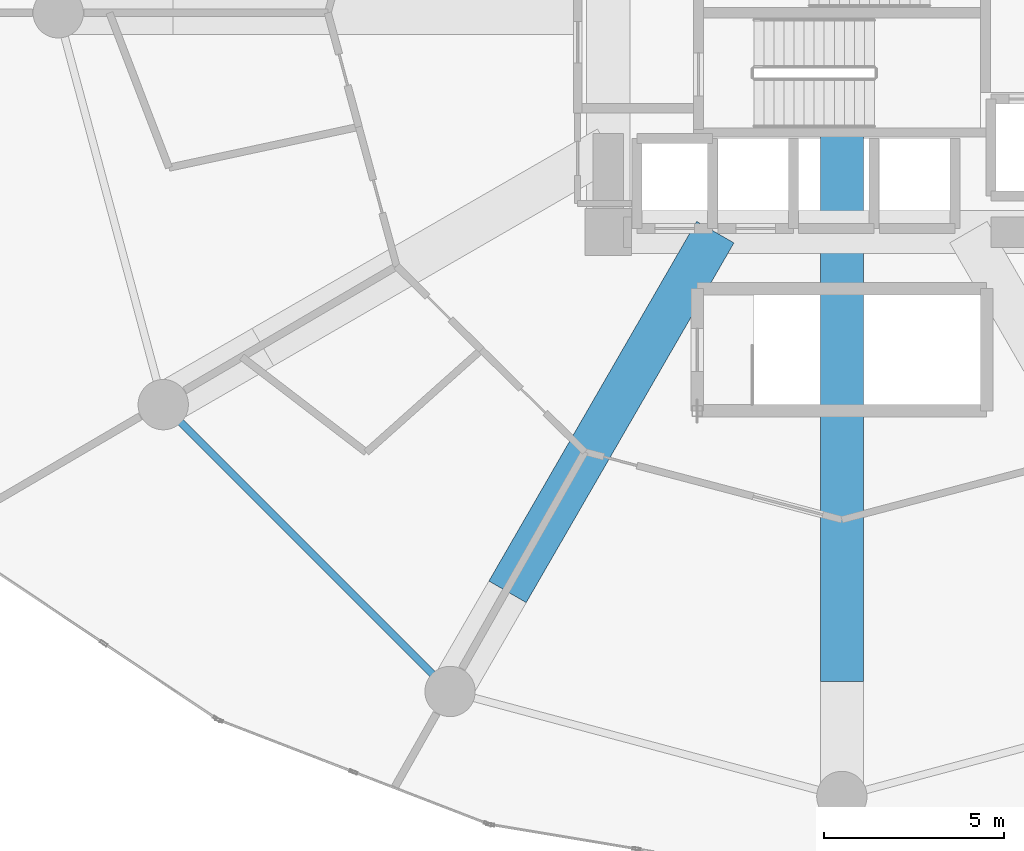
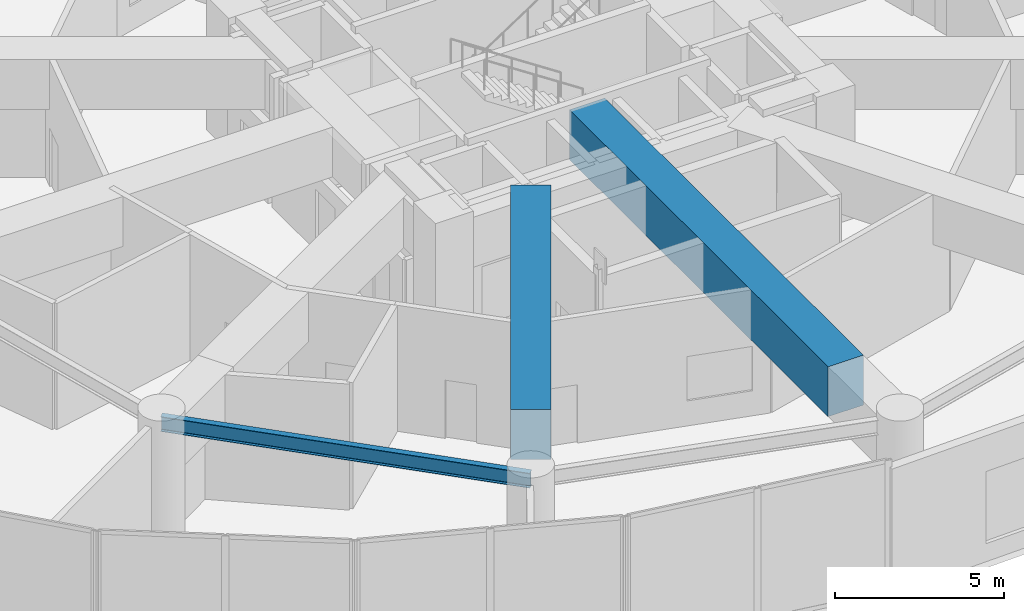
# One storey, part 6 of 27: 3 beams.
"""IFC4 building model written with IfcOpenShell, lengths in metres."""

from ifc_helpers import new_model, si_unit, direction, frame, origin, origin_2d, place, context, subcontext, project, spatial, rectangle, i_section, extrude, material, material_profile, profile_set, type_object, element, save


model = new_model("IFC4")

# Units and contexts
model_context = context("Model", 3, precision=1e-05, world=origin(), true_north=direction((0.0, 1.0)))
body_context = subcontext(model_context, "Body", "Model", "MODEL_VIEW")
ifc_project = project(units=[si_unit("LENGTHUNIT", "METRE"), si_unit("AREAUNIT", "SQUARE_METRE"), si_unit("VOLUMEUNIT", "CUBIC_METRE"), si_unit("PLANEANGLEUNIT", "RADIAN"), si_unit("MASSUNIT", "GRAM", prefix="KILO")], contexts=[model_context])

# Site, building, storey
site_placement = place(None, origin())
site = spatial("IfcSite", under=ifc_project, at=site_placement, CompositionType="ELEMENT")
building_placement = place(site_placement, origin())
building = spatial("IfcBuilding", under=site, at=building_placement, Name="Solvirekh Grand Hotel", CompositionType="ELEMENT")
storey_placement = place(building_placement, frame((0.0, 0.0, 23.60009765625)))
storey = spatial("IfcBuildingStorey", under=building, at=storey_placement, Name="L04", CompositionType="ELEMENT", Elevation=23.60009765625)

# Beams
ifc_material_1 = material(Name="Steel S355", Category="steel")
ifc_material_profile_1 = material_profile(ifc_material_1, i_section(OverallWidth=0.208984375, OverallDepth=0.532958984375, WebThickness=0.010009765625, FlangeThickness=0.014892578125, FilletRadius=0.013916015625, at=origin_2d()), Name="W530X92")
ifc_profile_set_1 = profile_set([ifc_material_profile_1], Name="Steel S355")
beam_type_1 = type_object("IfcBeamType", Name="Spandrel_Ring_W530", PredefinedType="SPANDREL", material=ifc_profile_set_1)
beam_1_placement = place(storey_placement, frame((-18.87890625, -10.89990234375, 4.27294921875), z_axis=(0.707106781187, -0.707106781187, 0.0), x_axis=(0.707106781187, 0.707106781187, 0.0)))
element("IfcBeam", 1, at=beam_1_placement, inside=storey, type_object=beam_type_1, Name="L04 perimeter spandrel beam 8", PredefinedType="SPANDREL", context=body_context, shape_type="SweptSolid", body=[
    extrude(i_section(OverallWidth=0.208984375, OverallDepth=0.532958984375, WebThickness=0.010009765625, FlangeThickness=0.014892578125, FilletRadius=0.013916015625, at=origin_2d()), origin(), (0.0, 0.0, 1.0), 11.283935546875),
])
ifc_material_2 = material(Name="Concrete C60/75", Category="concrete")
ifc_material_profile_2 = material_profile(ifc_material_2, rectangle(XDim=1.199951171875, YDim=1.800048828125, at=origin_2d()), Name="RC GIRDER 1200X1800")
ifc_profile_set_2 = profile_set([ifc_material_profile_2], Name="Concrete C60/75")
beam_type_2 = type_object("IfcBeamType", Name="TransferGirder_RC1800", PredefinedType="USERDEFINED", material=ifc_profile_set_2)
beam_2_placement = place(storey_placement, frame((-3.52099609375, -6.10009765625, 3.639892578125), z_axis=(-0.500067459825, -0.865986452333, 0.0), x_axis=(0.865986452333, -0.500067459825, 0.0)))
element("IfcBeam", 2, at=beam_2_placement, inside=storey, type_object=beam_type_2, Name="L04 inner radial transfer girder 9A", ObjectType="TRANSFER GIRDER", PredefinedType="USERDEFINED", context=body_context, shape_type="SweptSolid", body=[
    extrude(rectangle(XDim=1.199951171875, YDim=1.800048828125, at=origin_2d()), origin(), (0.0, 0.0, 1.0), 11.556640625),
])
beam_3_placement = place(storey_placement, frame((0.0, -3.324951171875, 3.639892578125), z_axis=(0.0, -1.0, 0.0), x_axis=(1.0, 0.0, 0.0)))
element("IfcBeam", 3, at=beam_3_placement, inside=storey, type_object=beam_type_2, Name="L04 inner radial transfer girder 10A", ObjectType="TRANSFER GIRDER", PredefinedType="USERDEFINED", context=body_context, shape_type="SweptSolid", body=[
    extrude(rectangle(XDim=1.199951171875, YDim=1.800048828125, at=origin_2d()), origin(), (0.0, 0.0, 1.0), 15.275146484375),
])

save(model, "model.ifc")
